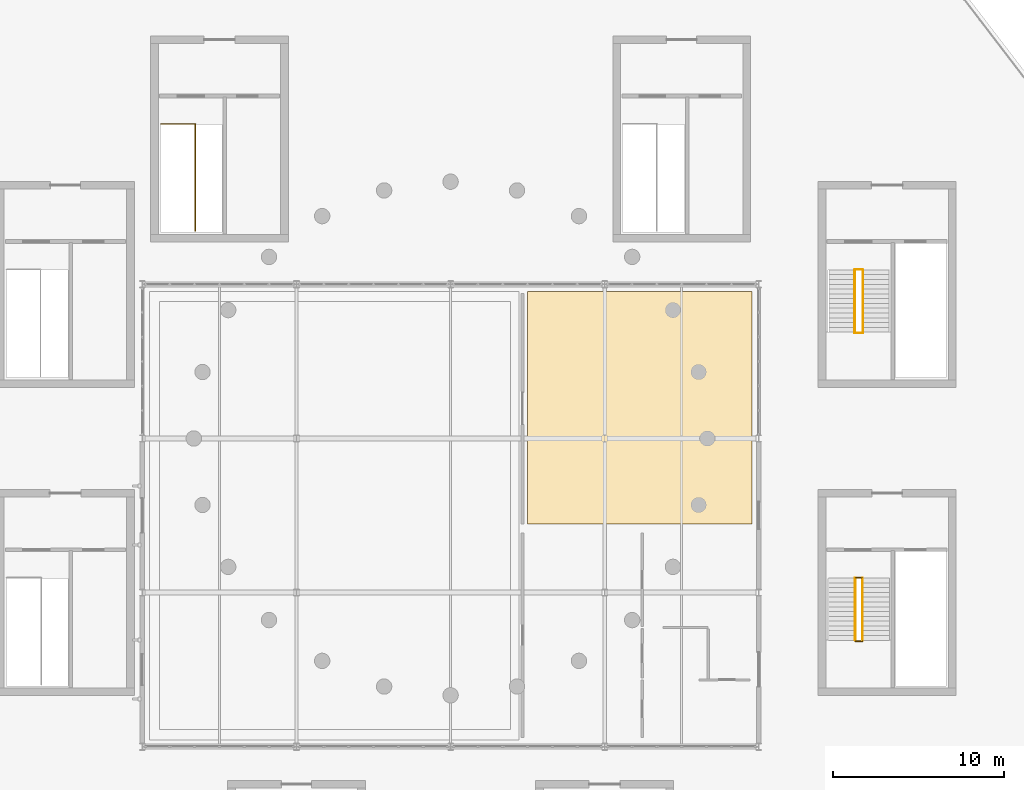
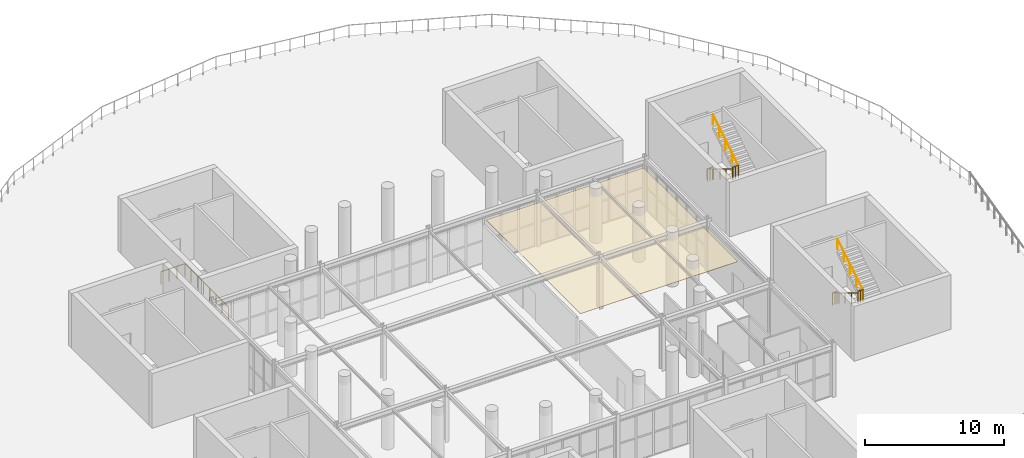
# One storey, part 28 of 29: 9 railings, 1 covering.
"""IFC4 building model written with IfcOpenShell, lengths in metres."""

from ifc_helpers import new_model, si_unit, direction, frame, origin, origin_2d, place, context, subcontext, project, spatial, polyline, circle, outline, extrude, material, layer, layer_set, type_object, element, save


model = new_model("IFC4")

# Units and contexts
model_context = context("Model", 3, precision=1e-05, world=origin(), true_north=direction((0.0, 1.0)))
body_context = subcontext(model_context, "Body", "Model", "MODEL_VIEW")
ifc_project = project(units=[si_unit("LENGTHUNIT", "METRE"), si_unit("AREAUNIT", "SQUARE_METRE"), si_unit("VOLUMEUNIT", "CUBIC_METRE"), si_unit("PLANEANGLEUNIT", "RADIAN"), si_unit("MASSUNIT", "GRAM", prefix="KILO")], contexts=[model_context])

# Site, building, storey
site_placement = place(None, origin())
site = spatial("IfcSite", under=ifc_project, at=site_placement, CompositionType="ELEMENT")
building_placement = place(site_placement, origin())
building = spatial("IfcBuilding", under=site, at=building_placement, Name="Dornveld Trade and Exhibition Forum", CompositionType="ELEMENT")
storey_placement = place(building_placement, frame((0.0, 0.0, 21.60009765625)))
storey = spatial("IfcBuildingStorey", under=building, at=storey_placement, Name="L04", CompositionType="ELEMENT", Elevation=21.60009765625)

# Covering
ifc_material_1 = material(Name="Suspended timber-slat acoustic ceiling", Category="wood")
ifc_layer = layer(ifc_material_1, 0.034912109375)
ifc_layer_set = layer_set([ifc_layer], Name="Suspended timber-slat acoustic ceiling")
covering_type = type_object("IfcCoveringType", Name="COV-CLG-ACOUST", PredefinedType="CEILING", material=ifc_layer_set)
covering_placement = place(storey_placement, frame((0.0, 0.0, 4.02001953125)))
element("IfcCovering", 1, at=covering_placement, inside=storey, type_object=covering_type, Name="L04 acoustic timber-slat ceiling 6", PredefinedType="CEILING", context=body_context, shape_type="SweptSolid", body=[
    extrude(outline(polyline([(121.5, 76.0), (134.60009765625, 76.0), (134.60009765625, 89.60009765625), (121.5, 89.60009765625), (121.5, 76.0)])), origin(), (0.0, 0.0, 1.0), 0.034912109375),
])

# Railings
ifc_material_2 = material(Name="Brushed stainless steel handrail", Category="steel")
railing_type_1 = type_object("IfcRailingType", Name="RL-HAND-920", PredefinedType="HANDRAIL", material=ifc_material_2)
railing_1_placement = place(storey_placement, frame((140.60498046875, 90.85009765625, 0.17138671875)))
element("IfcRailing", 2, at=railing_1_placement, inside=storey, type_object=railing_type_1, Name="ST-01-L04 flight 1 handrail", PredefinedType="HANDRAIL", context=body_context, shape_type="SweptSolid", body=[
    extrude(circle(Radius=0.02099609375, at=origin_2d()), frame((0.0, 0.0, 0.89892578125), z_axis=(0.0, -0.852865859571, 0.52213008492), x_axis=(1.0, 0.0, 0.0)), (0.0, 0.0, 1.0), 4.26806640625),
    extrude(circle(Radius=0.01806640625, at=origin_2d()), origin(), (0.0, 0.0, 1.0), 0.8779296875),
    extrude(circle(Radius=0.01806640625, at=origin_2d()), frame((0.0, -0.91015625, 0.55712890625)), (0.0, 0.0, 1.0), 0.8779296875),
    extrude(circle(Radius=0.01806640625, at=origin_2d()), frame((0.0, -1.820068359375, 1.1142578125)), (0.0, 0.0, 1.0), 0.8779296875),
    extrude(circle(Radius=0.01806640625, at=origin_2d()), frame((0.0, -2.72998046875, 1.67138671875)), (0.0, 0.0, 1.0), 0.8779296875),
    extrude(circle(Radius=0.01806640625, at=origin_2d()), frame((0.0, -3.64013671875, 2.228515625)), (0.0, 0.0, 1.0), 0.8779296875),
])
railing_2_placement = place(storey_placement, frame((141.094970703125, 87.2099609375, 2.5712890625)))
element("IfcRailing", 3, at=railing_2_placement, inside=storey, type_object=railing_type_1, Name="ST-01-L04 flight 2 handrail", PredefinedType="HANDRAIL", context=body_context, shape_type="SweptSolid", body=[
    extrude(circle(Radius=0.02099609375, at=origin_2d()), frame((0.0, 0.0, 0.89892578125), z_axis=(0.0, 0.852865859571, 0.52213008492), x_axis=(-1.0, 0.0, 0.0)), (0.0, 0.0, 1.0), 4.26806640625),
    extrude(circle(Radius=0.01806640625, at=origin_2d()), origin(), (0.0, 0.0, 1.0), 0.8779296875),
    extrude(circle(Radius=0.01806640625, at=origin_2d()), frame((0.0, 0.91015625, 0.55712890625)), (0.0, 0.0, 1.0), 0.8779296875),
    extrude(circle(Radius=0.01806640625, at=origin_2d()), frame((0.0, 1.820068359375, 1.1142578125)), (0.0, 0.0, 1.0), 0.8779296875),
    extrude(circle(Radius=0.01806640625, at=origin_2d()), frame((0.0, 2.72998046875, 1.67138671875)), (0.0, 0.0, 1.0), 0.8779296875),
    extrude(circle(Radius=0.01806640625, at=origin_2d()), frame((0.0, 3.64013671875, 2.228515625)), (0.0, 0.0, 1.0), 0.8779296875),
])
railing_3_placement = place(storey_placement, frame((140.639892578125, 72.85009765625, 0.17138671875)))
element("IfcRailing", 4, at=railing_3_placement, inside=storey, type_object=railing_type_1, Name="ST-08-L04 flight 1 handrail", PredefinedType="HANDRAIL", context=body_context, shape_type="SweptSolid", body=[
    extrude(circle(Radius=0.02099609375, at=origin_2d()), frame((0.0, 0.0, 0.89892578125), z_axis=(0.0, -0.852865859571, 0.52213008492), x_axis=(1.0, 0.0, 0.0)), (0.0, 0.0, 1.0), 4.26806640625),
    extrude(circle(Radius=0.01806640625, at=origin_2d()), origin(), (0.0, 0.0, 1.0), 0.8779296875),
    extrude(circle(Radius=0.01806640625, at=origin_2d()), frame((0.0, -0.91015625, 0.55712890625)), (0.0, 0.0, 1.0), 0.8779296875),
    extrude(circle(Radius=0.01806640625, at=origin_2d()), frame((0.0, -1.820068359375, 1.1142578125)), (0.0, 0.0, 1.0), 0.8779296875),
    extrude(circle(Radius=0.01806640625, at=origin_2d()), frame((0.0, -2.72998046875, 1.67138671875)), (0.0, 0.0, 1.0), 0.8779296875),
    extrude(circle(Radius=0.01806640625, at=origin_2d()), frame((0.0, -3.64013671875, 2.228515625)), (0.0, 0.0, 1.0), 0.8779296875),
])
railing_4_placement = place(storey_placement, frame((141.06005859375, 69.2099609375, 2.5712890625)))
element("IfcRailing", 5, at=railing_4_placement, inside=storey, type_object=railing_type_1, Name="ST-08-L04 flight 2 handrail", PredefinedType="HANDRAIL", context=body_context, shape_type="SweptSolid", body=[
    extrude(circle(Radius=0.02099609375, at=origin_2d()), frame((0.0, 0.0, 0.89892578125), z_axis=(0.0, 0.852865859571, 0.52213008492), x_axis=(-1.0, 0.0, 0.0)), (0.0, 0.0, 1.0), 4.26806640625),
    extrude(circle(Radius=0.01806640625, at=origin_2d()), origin(), (0.0, 0.0, 1.0), 0.8779296875),
    extrude(circle(Radius=0.01806640625, at=origin_2d()), frame((0.0, 0.91015625, 0.55712890625)), (0.0, 0.0, 1.0), 0.8779296875),
    extrude(circle(Radius=0.01806640625, at=origin_2d()), frame((0.0, 1.820068359375, 1.1142578125)), (0.0, 0.0, 1.0), 0.8779296875),
    extrude(circle(Radius=0.01806640625, at=origin_2d()), frame((0.0, 2.72998046875, 1.67138671875)), (0.0, 0.0, 1.0), 0.8779296875),
    extrude(circle(Radius=0.01806640625, at=origin_2d()), frame((0.0, 3.64013671875, 2.228515625)), (0.0, 0.0, 1.0), 0.8779296875),
])
ifc_material_3 = material(Name="Painted steel S355J2 stair-well guard", Category="steel")
railing_type_2 = type_object("IfcRailingType", Name="RL-WELL-110", PredefinedType="GUARDRAIL", material=ifc_material_3)
railing_5_placement = place(storey_placement, frame((140.60498046875, 87.159912109375, 2.39990234375)))
element("IfcRailing", 6, at=railing_5_placement, inside=storey, type_object=railing_type_2, Name="ST-01-L04 half-landing well guard", PredefinedType="GUARDRAIL", context=body_context, shape_type="SweptSolid", body=[
    extrude(circle(Radius=0.02392578125, at=origin_2d()), frame((0.0, 0.0, 1.076171875), z_axis=(1.0, 0.0, 0.0), x_axis=(0.0, 1.0, 0.0)), (0.0, 0.0, 1.0), 0.489990234375),
    extrude(circle(Radius=0.02001953125, at=origin_2d()), origin(), (0.0, 0.0, 1.0), 1.052001953125),
    extrude(circle(Radius=0.02001953125, at=origin_2d()), frame((0.2451171875, 0.0, 0.0)), (0.0, 0.0, 1.0), 1.052001953125),
    extrude(circle(Radius=0.02001953125, at=origin_2d()), frame((0.489990234375, 0.0, 0.0)), (0.0, 0.0, 1.0), 1.052001953125),
])
railing_6_placement = place(storey_placement, frame((140.635009765625, 90.8701171875, 0.0)))
element("IfcRailing", 7, at=railing_6_placement, inside=storey, type_object=railing_type_2, Name="CORE-01 L04 stair-slot floor guard", PredefinedType="GUARDRAIL", context=body_context, shape_type="SweptSolid", body=[
    extrude(circle(Radius=0.02392578125, at=origin_2d()), frame((0.0, 0.0, 1.076171875), z_axis=(1.0, 0.0, 0.0), x_axis=(0.0, 1.0, 0.0)), (0.0, 0.0, 1.0), 0.429931640625),
    extrude(circle(Radius=0.02001953125, at=origin_2d()), origin(), (0.0, 0.0, 1.0), 1.052001953125),
    extrude(circle(Radius=0.02001953125, at=origin_2d()), frame((0.21484375, 0.0, 0.0)), (0.0, 0.0, 1.0), 1.052001953125),
    extrude(circle(Radius=0.02001953125, at=origin_2d()), frame((0.429931640625, 0.0, 0.0)), (0.0, 0.0, 1.0), 1.052001953125),
])
railing_7_placement = place(storey_placement, frame((100.080078125, 99.3701171875, 0.0)))
element("IfcRailing", 8, at=railing_7_placement, inside=storey, type_object=railing_type_2, Name="CORE-03 L04 stair-well top guard", PredefinedType="GUARDRAIL", context=body_context, shape_type="SweptSolid", body=[
    extrude(circle(Radius=0.02392578125, at=origin_2d()), frame((0.0, 0.0, 1.076171875), z_axis=(1.0, 0.0, 0.0), x_axis=(0.0, 1.0, 0.0)), (0.0, 0.0, 1.0), 2.0048828125),
    extrude(circle(Radius=0.02392578125, at=origin_2d()), frame((2.0048828125, 0.0, 1.076171875), z_axis=(0.0, -1.0, 0.0), x_axis=(1.0, 0.0, 0.0)), (0.0, 0.0, 1.0), 6.25),
    extrude(circle(Radius=0.02001953125, at=origin_2d()), origin(), (0.0, 0.0, 1.0), 1.052001953125),
    extrude(circle(Radius=0.02001953125, at=origin_2d()), frame((0.668212890625, 0.0, 0.0)), (0.0, 0.0, 1.0), 1.052001953125),
    extrude(circle(Radius=0.02001953125, at=origin_2d()), frame((1.336669921875, 0.0, 0.0)), (0.0, 0.0, 1.0), 1.052001953125),
    extrude(circle(Radius=0.02001953125, at=origin_2d()), frame((2.0048828125, 0.0, 0.0)), (0.0, 0.0, 1.0), 1.052001953125),
    extrude(circle(Radius=0.02001953125, at=origin_2d()), frame((2.0048828125, -0.892822265625, 0.0)), (0.0, 0.0, 1.0), 1.052001953125),
    extrude(circle(Radius=0.02001953125, at=origin_2d()), frame((2.0048828125, -1.78564453125, 0.0)), (0.0, 0.0, 1.0), 1.052001953125),
    extrude(circle(Radius=0.02001953125, at=origin_2d()), frame((2.0048828125, -2.678466796875, 0.0)), (0.0, 0.0, 1.0), 1.052001953125),
    extrude(circle(Radius=0.02001953125, at=origin_2d()), frame((2.0048828125, -3.571533203125, 0.0)), (0.0, 0.0, 1.0), 1.052001953125),
    extrude(circle(Radius=0.02001953125, at=origin_2d()), frame((2.0048828125, -4.46435546875, 0.0)), (0.0, 0.0, 1.0), 1.052001953125),
    extrude(circle(Radius=0.02001953125, at=origin_2d()), frame((2.0048828125, -5.357177734375, 0.0)), (0.0, 0.0, 1.0), 1.052001953125),
    extrude(circle(Radius=0.02001953125, at=origin_2d()), frame((2.0048828125, -6.25, 0.0)), (0.0, 0.0, 1.0), 1.052001953125),
])
railing_8_placement = place(storey_placement, frame((140.639892578125, 69.159912109375, 2.39990234375)))
element("IfcRailing", 9, at=railing_8_placement, inside=storey, type_object=railing_type_2, Name="ST-08-L04 half-landing well guard", PredefinedType="GUARDRAIL", context=body_context, shape_type="SweptSolid", body=[
    extrude(circle(Radius=0.02392578125, at=origin_2d()), frame((0.0, 0.0, 1.076171875), z_axis=(1.0, 0.0, 0.0), x_axis=(0.0, 1.0, 0.0)), (0.0, 0.0, 1.0), 0.420166015625),
    extrude(circle(Radius=0.02001953125, at=origin_2d()), origin(), (0.0, 0.0, 1.0), 1.052001953125),
    extrude(circle(Radius=0.02001953125, at=origin_2d()), frame((0.2099609375, 0.0, 0.0)), (0.0, 0.0, 1.0), 1.052001953125),
    extrude(circle(Radius=0.02001953125, at=origin_2d()), frame((0.420166015625, 0.0, 0.0)), (0.0, 0.0, 1.0), 1.052001953125),
])
railing_9_placement = place(storey_placement, frame((140.669921875, 72.8701171875, 0.0)))
element("IfcRailing", 10, at=railing_9_placement, inside=storey, type_object=railing_type_2, Name="CORE-08 L04 stair-slot floor guard", PredefinedType="GUARDRAIL", context=body_context, shape_type="SweptSolid", body=[
    extrude(circle(Radius=0.02392578125, at=origin_2d()), frame((0.0, 0.0, 1.076171875), z_axis=(1.0, 0.0, 0.0), x_axis=(0.0, 1.0, 0.0)), (0.0, 0.0, 1.0), 0.360107421875),
    extrude(circle(Radius=0.02001953125, at=origin_2d()), origin(), (0.0, 0.0, 1.0), 1.052001953125),
    extrude(circle(Radius=0.02001953125, at=origin_2d()), frame((0.18017578125, 0.0, 0.0)), (0.0, 0.0, 1.0), 1.052001953125),
    extrude(circle(Radius=0.02001953125, at=origin_2d()), frame((0.360107421875, 0.0, 0.0)), (0.0, 0.0, 1.0), 1.052001953125),
])

save(model, "model.ifc")
